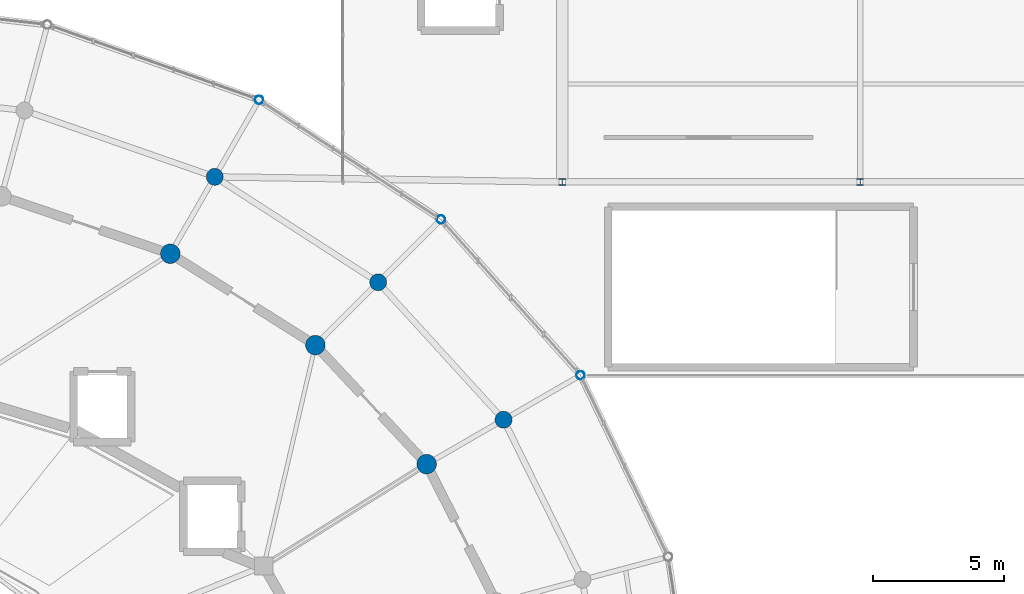
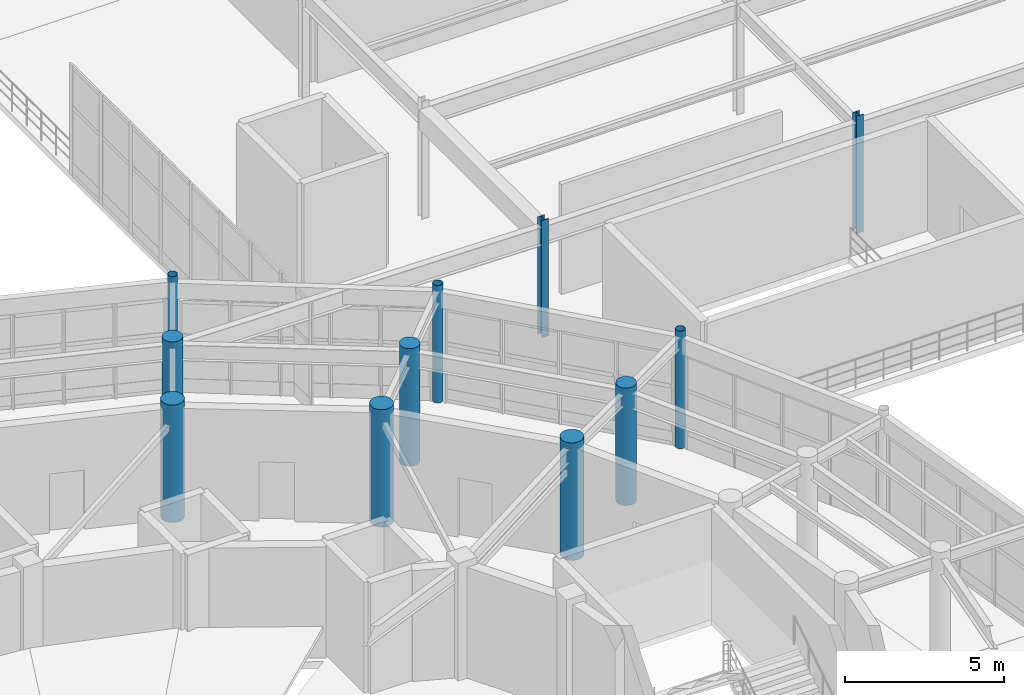
# One storey, part 18 of 112: 11 columns.
"""IFC4 building model written with IfcOpenShell, lengths in metres."""

import ifcopenshell
import ifcopenshell.guid

model = None  # the IFC model being written
_history = None  # IfcOwnerHistory: only IFC2X3 demands one
_inside = {}  # id of a spatial element -> (the spatial element, [elements in it])
_under = {}  # id of a project, library or spatial element -> (it, [spatial elements below it])
_declared = {}  # id of a project -> (the project, [libraries it declares])
_typed = {}  # id of a type object -> (the type object, [elements of that type])
_made_of = {}  # id of a material, layer set ... -> (it, [elements and type objects made of it])


def new_model(schema):
    """Start an empty IFC model of exactly this schema.

    Asked for "IFC4X3", IfcOpenShell would pick the latest addendum, in which some entities
    have other attributes; the version numbers below select the first issue.
    IFC2X3 requires an IfcOwnerHistory on every rooted entity: one is made here for all.
    """
    global model, _history
    if schema == "IFC4X3":
        model = ifcopenshell.file(schema_version=(4, 3, 0, 0))
    else:
        model = ifcopenshell.file(schema=schema)
    _inside.clear()
    _under.clear()
    _declared.clear()
    _typed.clear()
    _made_of.clear()
    _history = None
    if model.schema == "IFC2X3":
        org = make("IfcOrganization", Name="unknown")
        user = make(
            "IfcPersonAndOrganization",
            ThePerson=make("IfcPerson", FamilyName="unknown"),
            TheOrganization=org,
        )
        app = make(
            "IfcApplication",
            ApplicationDeveloper=org,
            Version="unknown",
            ApplicationFullName="unknown",
            ApplicationIdentifier="unknown",
        )
        _history = make(
            "IfcOwnerHistory",
            OwningUser=user,
            OwningApplication=app,
            ChangeAction="ADDED",
            CreationDate=0,
        )
    return model


def make(cls, **values):
    """One entity of the class cls with the attributes given. An attribute that is None is left unset."""
    return model.create_entity(
        cls, **{name: value for name, value in values.items() if value is not None}
    )


def rooted(cls, **values):
    """An entity with a GlobalId (a new one), such as an element, a storey or a relation."""
    return make(cls, GlobalId=ifcopenshell.guid.new(), OwnerHistory=_history, **values)


def si_unit(unit_type, name, prefix=None):
    """IfcSIUnit, for example si_unit("LENGTHUNIT", "METRE", prefix="MILLI")."""
    return make("IfcSIUnit", UnitType=unit_type, Prefix=prefix, Name=name)


def assignment(units):
    """IfcUnitAssignment: the units of a project."""
    return None if units is None else make("IfcUnitAssignment", Units=units)


def point(xyz):
    """IfcCartesianPoint."""
    return None if xyz is None else make("IfcCartesianPoint", Coordinates=xyz)


def direction(xyz):
    """IfcDirection."""
    return None if xyz is None else make("IfcDirection", DirectionRatios=xyz)


def frame(location, z_axis=None, x_axis=None):
    """IfcAxis2Placement3D, a coordinate frame: its origin and axes. An axis left out is left unset."""
    return make(
        "IfcAxis2Placement3D",
        Location=point(location),
        Axis=direction(z_axis),
        RefDirection=direction(x_axis),
    )


def frame_2d(location, x_axis=None):
    """IfcAxis2Placement2D, a coordinate frame in the plane: its origin and x axis."""
    return make(
        "IfcAxis2Placement2D", Location=point(location), RefDirection=direction(x_axis)
    )


def origin():
    """The frame at (0, 0, 0) with its axes left unset."""
    return frame((0.0, 0.0, 0.0))


def origin_2d():
    """The frame at (0, 0) in the plane with its x axis left unset."""
    return frame_2d((0.0, 0.0))


def place(relative_to, where):
    """IfcLocalPlacement: puts the frame where relative to a parent placement (None: the world)."""
    return make(
        "IfcLocalPlacement", PlacementRelTo=relative_to, RelativePlacement=where
    )


def context(
    kind, dimensions, precision=None, world=None, true_north=None, identifier=None
):
    """IfcGeometricRepresentationContext, for example the 3D "Model" context."""
    return make(
        "IfcGeometricRepresentationContext",
        ContextIdentifier=identifier,
        ContextType=kind,
        CoordinateSpaceDimension=dimensions,
        Precision=precision,
        WorldCoordinateSystem=world,
        TrueNorth=true_north,
    )


def subcontext(parent, identifier, kind, view, scale=None):
    """IfcGeometricRepresentationSubContext, for example "Body" below "Model"."""
    return make(
        "IfcGeometricRepresentationSubContext",
        ContextIdentifier=identifier,
        ContextType=kind,
        ParentContext=parent,
        TargetScale=scale,
        TargetView=view,
    )


def project(units=None, contexts=None):
    """IfcProject with its units and contexts."""
    return rooted(
        "IfcProject",
        Name="project",
        RepresentationContexts=contexts,
        UnitsInContext=assignment(units),
    )


def spatial(cls, under=None, at=None, **own):
    """A site, building, storey or space (cls), placed at a placement, below another one or the project."""
    s = rooted(cls, ObjectPlacement=at, **own)
    if under is not None:
        _under.setdefault(under.id(), (under, []))[1].append(s)
    return s


def profile(cls, at=None, kind="AREA", **sizes):
    """A parametric profile (cls). Its sizes go by their IFC names, for example OverallWidth=200.0."""
    return make(cls, ProfileType=kind, Position=at, **sizes)


def circle(**sizes):
    """IfcCircleProfileDef."""
    return profile("IfcCircleProfileDef", **sizes)


def hollow_circle(**sizes):
    """IfcCircleHollowProfileDef."""
    return profile("IfcCircleHollowProfileDef", **sizes)


def i_section(**sizes):
    """IfcIShapeProfileDef."""
    return profile("IfcIShapeProfileDef", **sizes)


def extrude(swept, where, along, depth):
    """IfcExtrudedAreaSolid: the profile swept, set in the frame where, extruded along a direction by depth."""
    return make(
        "IfcExtrudedAreaSolid",
        SweptArea=swept,
        Position=where,
        ExtrudedDirection=direction(along),
        Depth=depth,
    )


def shape(context_of_items, identifier, shape_type, items):
    """IfcShapeRepresentation: the items that make up one representation, for example the "Body"."""
    return make(
        "IfcShapeRepresentation",
        ContextOfItems=context_of_items,
        RepresentationIdentifier=identifier,
        RepresentationType=shape_type,
        Items=items,
    )


def material(Name=None, Category=None):
    """IfcMaterial."""
    return make("IfcMaterial", Name=Name, Category=Category)


def material_profile(
    of_material, cross_section, Name=None, Category=None, Priority=None
):
    """IfcMaterialProfile: a cross section and its material."""
    return make(
        "IfcMaterialProfile",
        Name=Name,
        Material=of_material,
        Profile=cross_section,
        Priority=Priority,
        Category=Category,
    )


def profile_set(profiles, Name=None, composite=None):
    """IfcMaterialProfileSet."""
    return make(
        "IfcMaterialProfileSet",
        Name=Name,
        MaterialProfiles=profiles,
        CompositeProfile=composite,
    )


def made_of(thing, what):
    """Note that an element or type object is made of a material, layer set ...; save() writes the relation."""
    if what is not None:
        _made_of.setdefault(what.id(), (what, []))[1].append(thing)
    return thing


def type_object(cls, material=None, **own):
    """A type object (cls), such as IfcWallType, which elements share."""
    return made_of(rooted(cls, **own), material)


def element(
    cls,
    number,
    at=None,
    inside=None,
    cuts=None,
    type_object=None,
    material=None,
    context=None,
    identifier="Body",
    shape_type=None,
    held_by="IfcProductDefinitionShape",
    body=None,
    shapes=None,
    **own,
):
    """One element of the class cls, such as IfcWall. Its Tag is "e" and its number.

    at: its placement. inside: the storey or other place that contains it. cuts: it is an
    opening in that element (IfcRelVoidsElement). A single representation is given by context,
    identifier, shape_type and body (its items); several are given by shapes. held_by: the class
    of the entity that holds the representations. save() writes the other relations.
    """
    e = rooted(cls, Tag="e%d" % number, ObjectPlacement=at, **own)
    if body is not None:
        shapes = [shape(context, identifier, shape_type, body)]
    if shapes is not None:
        e.Representation = make(held_by, Representations=shapes)
    if inside is not None:
        _inside.setdefault(inside.id(), (inside, []))[1].append(e)
    if cuts is not None:
        rooted(
            "IfcRelVoidsElement", RelatingBuildingElement=cuts, RelatedOpeningElement=e
        )
    if type_object is not None:
        _typed.setdefault(type_object.id(), (type_object, []))[1].append(e)
    return made_of(e, material)


def aggregate(whole, parts):
    """IfcRelAggregates: a whole, such as a stair, and the parts it consists of."""
    return rooted("IfcRelAggregates", RelatingObject=whole, RelatedObjects=parts)


def save(model, path):
    """Write the relations noted so far, then the file.

    IfcRelAggregates (storeys below a building ...), IfcRelContainedInSpatialStructure (elements
    in a storey), IfcRelDefinesByType, IfcRelAssociatesMaterial and IfcRelDeclares: one each for
    every whole, place, type object, material and project.
    """
    for whole, parts in _under.values():
        aggregate(whole, parts)
    for where, things in _inside.values():
        rooted(
            "IfcRelContainedInSpatialStructure",
            RelatedElements=things,
            RelatingStructure=where,
        )
    for kind, things in _typed.values():
        rooted("IfcRelDefinesByType", RelatedObjects=things, RelatingType=kind)
    for what, things in _made_of.values():
        rooted("IfcRelAssociatesMaterial", RelatedObjects=things, RelatingMaterial=what)
    for by, libraries in _declared.values():
        rooted("IfcRelDeclares", RelatingContext=by, RelatedDefinitions=libraries)
    model.write(path)


model = new_model("IFC4")

# Units and contexts
model_context = context("Model", 3, precision=1e-05, world=origin(), true_north=direction((0.0, 1.0)))
body_context = subcontext(model_context, "Body", "Model", "MODEL_VIEW")
ifc_project = project(units=[si_unit("LENGTHUNIT", "METRE"), si_unit("AREAUNIT", "SQUARE_METRE"), si_unit("VOLUMEUNIT", "CUBIC_METRE"), si_unit("PLANEANGLEUNIT", "RADIAN"), si_unit("MASSUNIT", "GRAM", prefix="KILO")], contexts=[model_context])

# Site, building, storey
site_placement = place(None, origin())
site = spatial("IfcSite", under=ifc_project, at=site_placement, CompositionType="ELEMENT")
building_placement = place(site_placement, origin())
building = spatial("IfcBuilding", under=site, at=building_placement, Name="Cinderbank Siding Concert Hall", CompositionType="ELEMENT")
storey_placement = place(building_placement, frame((0.0, 0.0, 10.199951171875)))
storey = spatial("IfcBuildingStorey", under=building, at=storey_placement, Name="L03", CompositionType="ELEMENT", Elevation=10.199951171875)

# Columns
ifc_material_1 = material(Name="Structural steel hollow section AS/NZS 1163 Grade C350L0 (350 MPa)", Category="steel")
ifc_material_profile_1 = material_profile(ifc_material_1, hollow_circle(Radius=0.161865234375, WallThickness=0.0126953125, at=origin_2d()), Name="323.9x12.7CHS", Category="LoadBearing")
ifc_profile_set_1 = profile_set([ifc_material_profile_1], Name="Structural steel hollow section AS/NZS 1163 Grade C350L0 (350 MPa)")
column_type_1 = type_object("IfcColumnType", Name="C-CHS323 323.9x12.7CHS", PredefinedType="COLUMN", material=ifc_profile_set_1)
for number, where, z_axis, x_axis, name in (
    (1, (151.09912109375, 58.39990234375, 0.0), (0.0, 0.0, 1.0), (1.0, 0.0, 0.0), "L03 Column COL-E4-03"),
    (2, (145.759033203125, 64.364990234375, 0.0), (0.0, 0.0, 1.0), (1.0, 0.0, 0.0), "L03 Column COL-E4-04"),
    (3, (138.800048828125, 68.94189453125, 0.0), (0.0, 0.0, 1.0), (1.0, 0.0, 0.0), "L03 Column COL-E4-05"),
):
    element("IfcColumn", number, at=place(storey_placement, frame(where, z_axis=z_axis, x_axis=x_axis)), inside=storey, type_object=column_type_1, Name=name, PredefinedType="COLUMN", context=body_context, shape_type="SweptSolid", body=[
        extrude(hollow_circle(Radius=0.161865234375, WallThickness=0.0126953125, at=origin_2d()), origin(), (0.0, 0.0, 1.0), 4.5),
    ])
ifc_material_2 = material(Name="Reinforced concrete AS 3600 N50 (50 MPa)", Category="concrete")
ifc_material_profile_2 = material_profile(ifc_material_2, circle(Radius=0.324951171875, at=origin_2d()), Name="RC-COL-650DIA", Category="LoadBearing")
ifc_profile_set_2 = profile_set([ifc_material_profile_2], Name="Reinforced concrete AS 3600 N50 (50 MPa)")
column_type_2 = type_object("IfcColumnType", Name="C-RCD650 RC-COL-650DIA", PredefinedType="COLUMN", material=ifc_profile_set_2)
for number, where, z_axis, x_axis, name in (
    (4, (148.154052734375, 56.699951171875, 0.0), (0.0, 0.0, 1.0), (1.0, 0.0, 0.0), "L03 Column COL-E3-03"),
    (5, (143.35498046875, 61.9609375, 0.0), (0.0, 0.0, 1.0), (1.0, 0.0, 0.0), "L03 Column COL-E3-04"),
    (6, (137.10009765625, 65.9970703125, 0.0), (0.0, 0.0, 1.0), (1.0, 0.0, 0.0), "L03 Column COL-E3-05"),
):
    element("IfcColumn", number, at=place(storey_placement, frame(where, z_axis=z_axis, x_axis=x_axis)), inside=storey, type_object=column_type_2, Name=name, PredefinedType="COLUMN", context=body_context, shape_type="SweptSolid", body=[
        extrude(circle(Radius=0.324951171875, at=origin_2d()), origin(), (0.0, 0.0, 1.0), 4.5),
    ])
ifc_material_profile_3 = material_profile(ifc_material_2, circle(Radius=0.375, at=origin_2d()), Name="RC-COL-750DIA", Category="LoadBearing")
ifc_profile_set_3 = profile_set([ifc_material_profile_3], Name="Reinforced concrete AS 3600 N50 (50 MPa)")
column_type_3 = type_object("IfcColumnType", Name="C-RCD750 RC-COL-750DIA", PredefinedType="COLUMN", material=ifc_profile_set_3)
for number, where, z_axis, x_axis, name in (
    (7, (145.208984375, 55.0, 0.0), (0.0, 0.0, 1.0), (1.0, 0.0, 0.0), "L03 Column COL-E2-03"),
    (8, (140.950927734375, 59.555908203125, 0.0), (0.0, 0.0, 1.0), (1.0, 0.0, 0.0), "L03 Column COL-E2-04"),
    (9, (135.39990234375, 63.052978515625, 0.0), (0.0, 0.0, 1.0), (1.0, 0.0, 0.0), "L03 Column COL-E2-05"),
):
    element("IfcColumn", number, at=place(storey_placement, frame(where, z_axis=z_axis, x_axis=x_axis)), inside=storey, type_object=column_type_3, Name=name, PredefinedType="COLUMN", context=body_context, shape_type="SweptSolid", body=[
        extrude(circle(Radius=0.375, at=origin_2d()), origin(), (0.0, 0.0, 1.0), 4.5),
    ])
ifc_material_3 = material(Name="Structural steel AS/NZS 3679.1 Grade 350 (340 MPa)", Category="steel")
ifc_material_profile_4 = material_profile(ifc_material_3, i_section(OverallWidth=0.25390625, OverallDepth=0.25390625, WebThickness=0.008544921875, FlangeThickness=0.01416015625, at=origin_2d()), Name="250UC72.9", Category="LoadBearing")
ifc_profile_set_4 = profile_set([ifc_material_profile_4], Name="Structural steel AS/NZS 3679.1 Grade 350 (340 MPa)")
column_type_4 = type_object("IfcColumnType", Name="C-UC250 250UC72.9", PredefinedType="COLUMN", material=ifc_profile_set_4)
for number, where, z_axis, x_axis, name in (
    (10, (150.39990234375, 65.800048828125, 0.0), (0.0, 0.0, 1.0), (1.0, 0.0, 0.0), "L03 Column COL-EL-1-1"),
    (11, (161.800048828125, 65.800048828125, 0.0), (0.0, 0.0, 1.0), (1.0, 0.0, 0.0), "L03 Column COL-EL-2-1"),
):
    element("IfcColumn", number, at=place(storey_placement, frame(where, z_axis=z_axis, x_axis=x_axis)), inside=storey, type_object=column_type_4, Name=name, PredefinedType="COLUMN", context=body_context, shape_type="SweptSolid", body=[
        extrude(i_section(OverallWidth=0.25390625, OverallDepth=0.25390625, WebThickness=0.008544921875, FlangeThickness=0.01416015625, at=origin_2d()), origin(), (0.0, 0.0, 1.0), 4.5),
    ])

save(model, "model.ifc")
